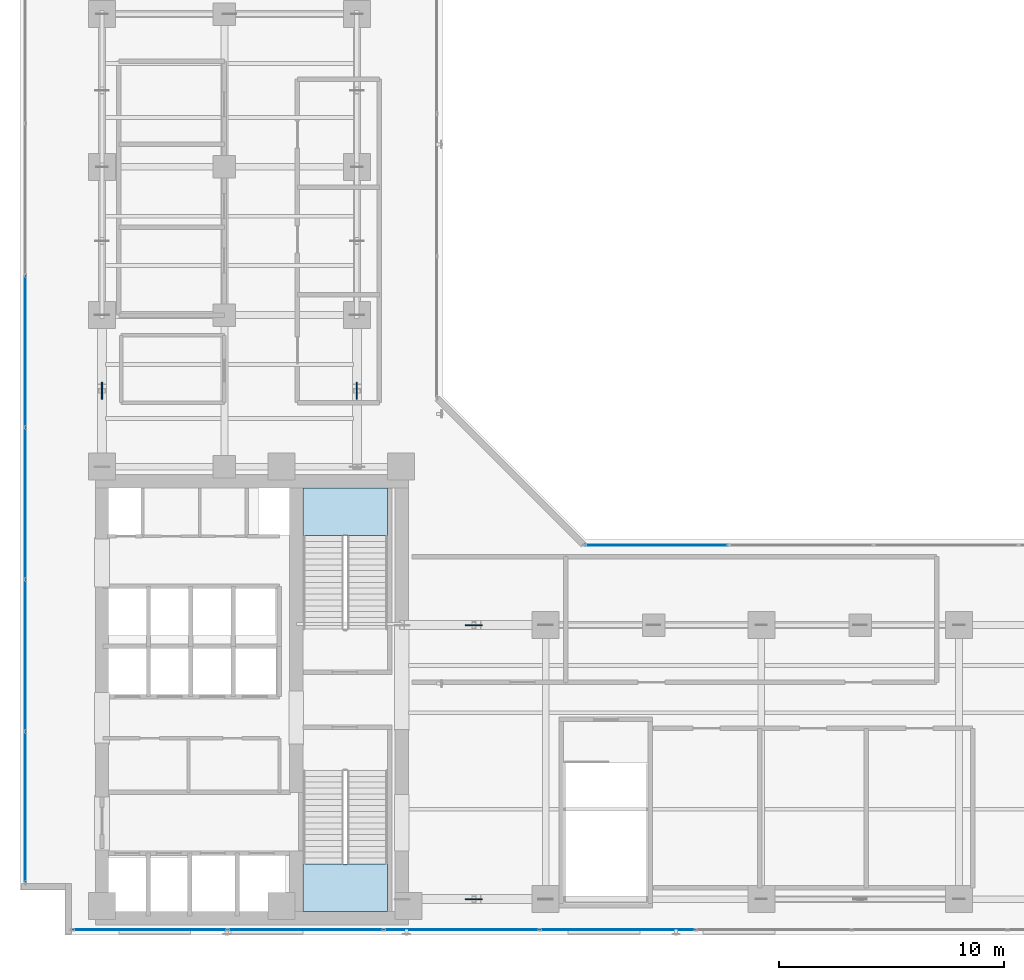
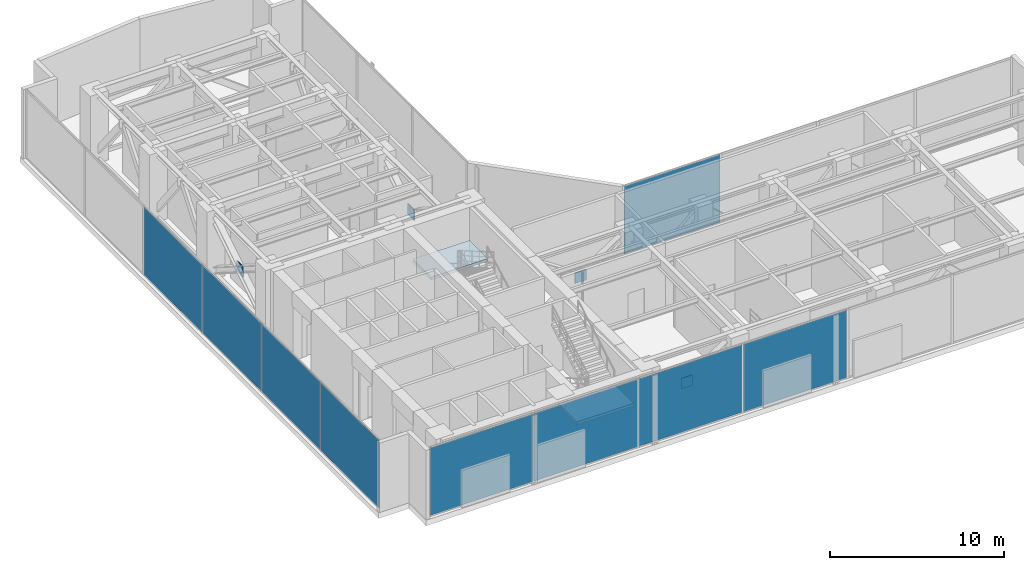
# One storey, part 26 of 36: 13 plates, 2 slabs, 5 elements without a shape of their own.
"""IFC4 building model written with IfcOpenShell, lengths in metres."""

from ifc_helpers import new_model, si_unit, direction, frame, origin, origin_with_axes, origin_2d, place, context, subcontext, project, spatial, polyline, rectangle, outline, extrude, source, transform, mapped, material, layer, layer_set, type_object, element, aggregate, save


model = new_model("IFC4")

# Units and contexts
model_context = context("Model", 3, precision=1e-05, world=origin(), true_north=direction((0.0, 1.0)))
body_context = subcontext(model_context, "Body", "Model", "MODEL_VIEW")
ifc_project = project(units=[si_unit("LENGTHUNIT", "METRE"), si_unit("AREAUNIT", "SQUARE_METRE"), si_unit("VOLUMEUNIT", "CUBIC_METRE"), si_unit("PLANEANGLEUNIT", "RADIAN"), si_unit("MASSUNIT", "GRAM", prefix="KILO")], contexts=[model_context])

# Site, building, storey
site_placement = place(None, origin())
site = spatial("IfcSite", under=ifc_project, at=site_placement, CompositionType="ELEMENT")
building_placement = place(site_placement, origin())
building = spatial("IfcBuilding", under=site, at=building_placement, Name="Kolvaren Waterfront Exchange", CompositionType="ELEMENT")
storey_placement = place(building_placement, frame((0.0, 0.0, 199.39990234375)))
storey = spatial("IfcBuildingStorey", under=building, at=storey_placement, Name="L51", CompositionType="ELEMENT", Elevation=199.39990234375)

# Stair, slab
ifc_material_1 = material(Name="Concrete C40/50", Category="concrete")
stair_type = type_object("IfcStairType", Name="ARC-STAIR-5100", PredefinedType="HALF_TURN_STAIR", material=ifc_material_1)
stair_1_placement = place(storey_placement, origin())
stair_1 = element("IfcStair", 1, at=stair_1_placement, inside=storey, type_object=stair_type, Name="L51 Smoke-proof exit stair ST1", PredefinedType="HALF_TURN_STAIR")
ifc_layer_1 = layer(ifc_material_1, 0.199951171875, Name="Concrete C40/50")
ifc_layer_set_1 = layer_set([ifc_layer_1], Name="Concrete C40/50")
slab_type = type_object("IfcSlabType", Name="STR-LANDING-200", PredefinedType="LANDING", material=ifc_layer_set_1)
slab_1_placement = place(storey_placement, frame((0.0, 0.0, 2.35009765625)))
slab_1 = element("IfcSlab", 2, at=slab_1_placement, type_object=slab_type, Name="ST1 landing 1", PredefinedType="LANDING", context=body_context, shape_type="SweptSolid", body=[
    extrude(outline(polyline([(16.39990234375, 6.77001953125), (16.39990234375, 4.64990234375), (20.159912109375, 4.64990234375), (20.159912109375, 6.77001953125), (16.39990234375, 6.77001953125)])), origin(), (0.0, 0.0, 1.0), 0.199951171875),
])
aggregate(stair_1, [slab_1])

stair_2_placement = place(storey_placement, origin())
stair_2 = element("IfcStair", 3, at=stair_2_placement, inside=storey, type_object=stair_type, Name="L51 Smoke-proof exit stair ST2", PredefinedType="HALF_TURN_STAIR")
slab_2_placement = place(storey_placement, frame((0.0, 0.0, 2.35009765625)))
slab_2 = element("IfcSlab", 4, at=slab_2_placement, type_object=slab_type, Name="ST2 landing 1", PredefinedType="LANDING", context=body_context, shape_type="SweptSolid", body=[
    extrude(outline(polyline([(20.159912109375, 21.3798828125), (20.159912109375, 23.5), (16.39990234375, 23.5), (16.39990234375, 21.3798828125), (20.159912109375, 21.3798828125)])), origin(), (0.0, 0.0, 1.0), 0.199951171875),
])
aggregate(stair_2, [slab_2])

# Plates
ifc_material_2 = material(Name="Steel S460", Category="steel")
ifc_layer_2 = layer(ifc_material_2, 0.044921875, Name="Steel S460")
ifc_layer_set_2 = layer_set([ifc_layer_2], Name="Steel S460")
plate_type_1 = type_object("IfcPlateType", Name="STR-PL-ON1", PredefinedType="USERDEFINED", material=ifc_layer_set_2)
shared_shape_1 = source(origin_with_axes(), body_context, "Body", "SweptSolid", [
    extrude(rectangle(XDim=0.75, YDim=0.044921875, at=origin_2d()), origin(), (0.0, 0.0, 1.0), 0.75),
])
for number, where, z_axis, x_axis, name in (
    (5, (24.0, 5.199951171875, 2.005126953125), (0.0, 0.0, 1.0), (1.0, 0.0, 0.0), "L51 outrigger X-brace crossing gusset plate OA1"),
    (6, (24.0, 17.39990234375, 2.005126953125), (0.0, 0.0, 1.0), (1.0, 0.0, 0.0), "L51 outrigger X-brace crossing gusset plate OA2"),
):
    element("IfcPlate", number, at=place(storey_placement, frame(where, z_axis=z_axis, x_axis=x_axis)), inside=storey, type_object=plate_type_1, Name=name, ObjectType="GUSSET PLATE", PredefinedType="USERDEFINED", context=body_context, shape_type="MappedRepresentation", body=[
        mapped(shared_shape_1, transform((0.0, 0.0, 0.0), x_axis=(1.0, 0.0, 0.0), y_axis=(0.0, 1.0, 0.0), z_axis=(0.0, 0.0, 1.0), scale=1.0)),
    ])
shared_shape_2 = source(origin_with_axes(), body_context, "Body", "SweptSolid", [
    extrude(rectangle(XDim=0.044921875, YDim=0.75, at=origin_2d()), origin(), (0.0, 0.0, 1.0), 0.75),
])
for number, where, z_axis, x_axis, name in (
    (7, (7.449951171875, 27.824951171875, 2.005126953125), (0.0, 0.0, 1.0), (1.0, 0.0, 0.0), "L51 outrigger X-brace crossing gusset plate OA3"),
    (8, (18.800048828125, 27.824951171875, 2.005126953125), (0.0, 0.0, 1.0), (1.0, 0.0, 0.0), "L51 outrigger X-brace crossing gusset plate OA4"),
):
    element("IfcPlate", number, at=place(storey_placement, frame(where, z_axis=z_axis, x_axis=x_axis)), inside=storey, type_object=plate_type_1, Name=name, ObjectType="GUSSET PLATE", PredefinedType="USERDEFINED", context=body_context, shape_type="MappedRepresentation", body=[
        mapped(shared_shape_2, transform((0.0, 0.0, 0.0), x_axis=(1.0, 0.0, 0.0), y_axis=(0.0, 1.0, 0.0), z_axis=(0.0, 0.0, 1.0), scale=1.0)),
    ])

# Curtain wall, plates
ifc_material_3 = material(Name="Anodised dark bronze spandrel aluminium", Category="aluminium")
ifc_layer_3 = layer(ifc_material_3, 0.219970703125, Name="Anodised dark bronze spandrel aluminium")
ifc_layer_set_3 = layer_set([ifc_layer_3], Name="Anodised dark bronze spandrel aluminium")
curtain_wall_type = type_object("IfcCurtainWallType", Name="ARC-CW-SYS6", PredefinedType="USERDEFINED", material=ifc_layer_set_3)
curtain_wall_1_placement = place(storey_placement, origin())
curtain_wall_1 = element("IfcCurtainWall", 9, at=curtain_wall_1_placement, inside=storey, type_object=curtain_wall_type, Name="L51 stick curtain wall CW6 (CW-L51-S)", ObjectType="STICK CURTAIN WALL", PredefinedType="USERDEFINED")
ifc_layer_4 = layer(ifc_material_3, 0.0419921875, Name="Anodised dark bronze spandrel aluminium")
ifc_layer_set_4 = layer_set([ifc_layer_4], Name="Anodised dark bronze spandrel aluminium")
plate_type_2 = type_object("IfcPlateType", Name="ARC-CWP-42", PredefinedType="CURTAIN_PANEL", material=ifc_layer_set_4)
shared_shape_3 = source(origin_with_axes(), body_context, "Body", "SweptSolid", [
    extrude(rectangle(XDim=6.830322265625, YDim=0.0419921875, at=origin_2d()), origin(), (0.0, 0.0, 1.0), 4.72998046875),
])
plate_1_placement = place(storey_placement, frame((9.590087890625, 3.840087890625, 0.065185546875), z_axis=(0.0, 0.0, 1.0), x_axis=(1.0, 0.0, 0.0)))
plate_1 = element("IfcPlate", 10, at=plate_1_placement, type_object=plate_type_2, Name="CW6 panel 1.1", PredefinedType="CURTAIN_PANEL", context=body_context, shape_type="MappedRepresentation", body=[
    mapped(shared_shape_3, transform((0.0, 0.0, 0.0), x_axis=(1.0, 0.0, 0.0), y_axis=(0.0, 1.0, 0.0), z_axis=(0.0, 0.0, 1.0), scale=1.0)),
])
shared_shape_4 = source(origin_with_axes(), body_context, "Body", "SweptSolid", [
    extrude(rectangle(XDim=6.867919921875, YDim=0.0419921875, at=origin_2d()), origin(), (0.0, 0.0, 1.0), 4.72998046875),
])
plate_2_placement = place(storey_placement, frame((16.514404296875, 3.840087890625, 0.065185546875), z_axis=(0.0, 0.0, 1.0), x_axis=(1.0, 0.0, 0.0)))
plate_2 = element("IfcPlate", 11, at=plate_2_placement, type_object=plate_type_2, Name="CW6 panel 2.1", PredefinedType="CURTAIN_PANEL", context=body_context, shape_type="MappedRepresentation", body=[
    mapped(shared_shape_4, transform((0.0, 0.0, 0.0), x_axis=(1.0, 0.0, 0.0), y_axis=(0.0, 1.0, 0.0), z_axis=(0.0, 0.0, 1.0), scale=1.0)),
])
plate_3_placement = place(storey_placement, frame((23.45703125, 3.840087890625, 0.065185546875), z_axis=(0.0, 0.0, 1.0), x_axis=(1.0, 0.0, 0.0)))
plate_3 = element("IfcPlate", 12, at=plate_3_placement, type_object=plate_type_2, Name="CW6 panel 3.1", PredefinedType="CURTAIN_PANEL", context=body_context, shape_type="MappedRepresentation", body=[
    mapped(shared_shape_4, transform((0.0, 0.0, 0.0), x_axis=(1.0, 0.0, 0.0), y_axis=(0.0, 1.0, 0.0), z_axis=(0.0, 0.0, 1.0), scale=1.0)),
])
plate_4_placement = place(storey_placement, frame((30.39990234375, 3.840087890625, 0.065185546875), z_axis=(0.0, 0.0, 1.0), x_axis=(1.0, 0.0, 0.0)))
plate_4 = element("IfcPlate", 13, at=plate_4_placement, type_object=plate_type_2, Name="CW6 panel 4.1", PredefinedType="CURTAIN_PANEL", context=body_context, shape_type="MappedRepresentation", body=[
    mapped(shared_shape_4, transform((0.0, 0.0, 0.0), x_axis=(1.0, 0.0, 0.0), y_axis=(0.0, 1.0, 0.0), z_axis=(0.0, 0.0, 1.0), scale=1.0)),
])
aggregate(curtain_wall_1, [plate_1, plate_2, plate_3, plate_4])

curtain_wall_2_placement = place(storey_placement, origin())
curtain_wall_2 = element("IfcCurtainWall", 14, at=curtain_wall_2_placement, inside=storey, type_object=curtain_wall_type, Name="L51 stick curtain wall CW6 (CW-L51-W)", ObjectType="STICK CURTAIN WALL", PredefinedType="USERDEFINED")
shared_shape_5 = source(origin_with_axes(), body_context, "Body", "SweptSolid", [
    extrude(rectangle(XDim=6.654052734375, YDim=0.0419921875, at=origin_2d()), origin(), (0.0, 0.0, 1.0), 4.72998046875),
])
plate_5_placement = place(storey_placement, frame((4.0400390625, 9.302001953125, 0.065185546875), z_axis=(0.0, 0.0, 1.0), x_axis=(0.0, 1.0, 0.0)))
plate_5 = element("IfcPlate", 15, at=plate_5_placement, type_object=plate_type_2, Name="CW6 panel 1.1", PredefinedType="CURTAIN_PANEL", context=body_context, shape_type="MappedRepresentation", body=[
    mapped(shared_shape_5, transform((0.0, 0.0, 0.0), x_axis=(1.0, 0.0, 0.0), y_axis=(0.0, 1.0, 0.0), z_axis=(0.0, 0.0, 1.0), scale=1.0)),
])
shared_shape_6 = source(origin_with_axes(), body_context, "Body", "SweptSolid", [
    extrude(rectangle(XDim=6.691650390625, YDim=0.0419921875, at=origin_2d()), origin(), (0.0, 0.0, 1.0), 4.72998046875),
])
plate_6_placement = place(storey_placement, frame((4.0400390625, 16.050048828125, 0.065185546875), z_axis=(0.0, 0.0, 1.0), x_axis=(0.0, 1.0, 0.0)))
plate_6 = element("IfcPlate", 16, at=plate_6_placement, type_object=plate_type_2, Name="CW6 panel 2.1", PredefinedType="CURTAIN_PANEL", context=body_context, shape_type="MappedRepresentation", body=[
    mapped(shared_shape_6, transform((0.0, 0.0, 0.0), x_axis=(1.0, 0.0, 0.0), y_axis=(0.0, 1.0, 0.0), z_axis=(0.0, 0.0, 1.0), scale=1.0)),
])
plate_7_placement = place(storey_placement, frame((4.0400390625, 22.816650390625, 0.065185546875), z_axis=(0.0, 0.0, 1.0), x_axis=(0.0, 1.0, 0.0)))
plate_7 = element("IfcPlate", 17, at=plate_7_placement, type_object=plate_type_2, Name="CW6 panel 3.1", PredefinedType="CURTAIN_PANEL", context=body_context, shape_type="MappedRepresentation", body=[
    mapped(shared_shape_6, transform((0.0, 0.0, 0.0), x_axis=(1.0, 0.0, 0.0), y_axis=(0.0, 1.0, 0.0), z_axis=(0.0, 0.0, 1.0), scale=1.0)),
])
plate_8_placement = place(storey_placement, frame((4.0400390625, 29.583251953125, 0.065185546875), z_axis=(0.0, 0.0, 1.0), x_axis=(0.0, 1.0, 0.0)))
plate_8 = element("IfcPlate", 18, at=plate_8_placement, type_object=plate_type_2, Name="CW6 panel 4.1", PredefinedType="CURTAIN_PANEL", context=body_context, shape_type="MappedRepresentation", body=[
    mapped(shared_shape_6, transform((0.0, 0.0, 0.0), x_axis=(1.0, 0.0, 0.0), y_axis=(0.0, 1.0, 0.0), z_axis=(0.0, 0.0, 1.0), scale=1.0)),
])
aggregate(curtain_wall_2, [plate_5, plate_6, plate_7, plate_8])

# Curtain wall, plate
curtain_wall_3_placement = place(storey_placement, origin())
curtain_wall_3 = element("IfcCurtainWall", 19, at=curtain_wall_3_placement, inside=storey, type_object=curtain_wall_type, Name="L51 stick curtain wall CW6 (CW-L51-EN)", ObjectType="STICK CURTAIN WALL", PredefinedType="USERDEFINED")
shared_shape_7 = source(origin_with_axes(), body_context, "Body", "SweptSolid", [
    extrude(rectangle(XDim=6.340087890625, YDim=0.0419921875, at=origin_2d()), origin(), (0.0, 0.0, 1.0), 4.72998046875),
])
plate_9_placement = place(storey_placement, frame((32.135009765625, 20.9599609375, 0.065185546875), z_axis=(0.0, 0.0, 1.0), x_axis=(1.0, 0.0, 0.0)))
plate_9 = element("IfcPlate", 20, at=plate_9_placement, type_object=plate_type_2, Name="CW6 panel 1.1", PredefinedType="CURTAIN_PANEL", context=body_context, shape_type="MappedRepresentation", body=[
    mapped(shared_shape_7, transform((0.0, 0.0, 0.0), x_axis=(1.0, 0.0, 0.0), y_axis=(0.0, 1.0, 0.0), z_axis=(0.0, 0.0, 1.0), scale=1.0)),
])
aggregate(curtain_wall_3, [plate_9])

save(model, "model.ifc")
